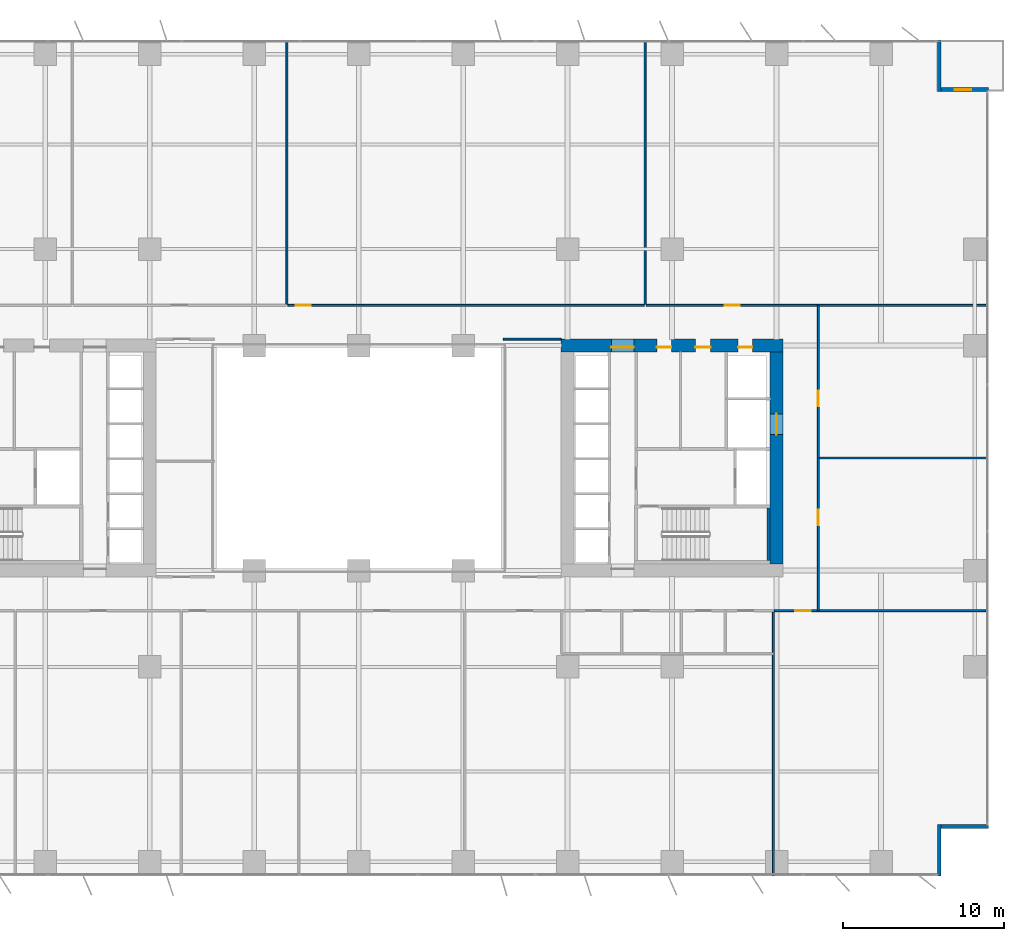
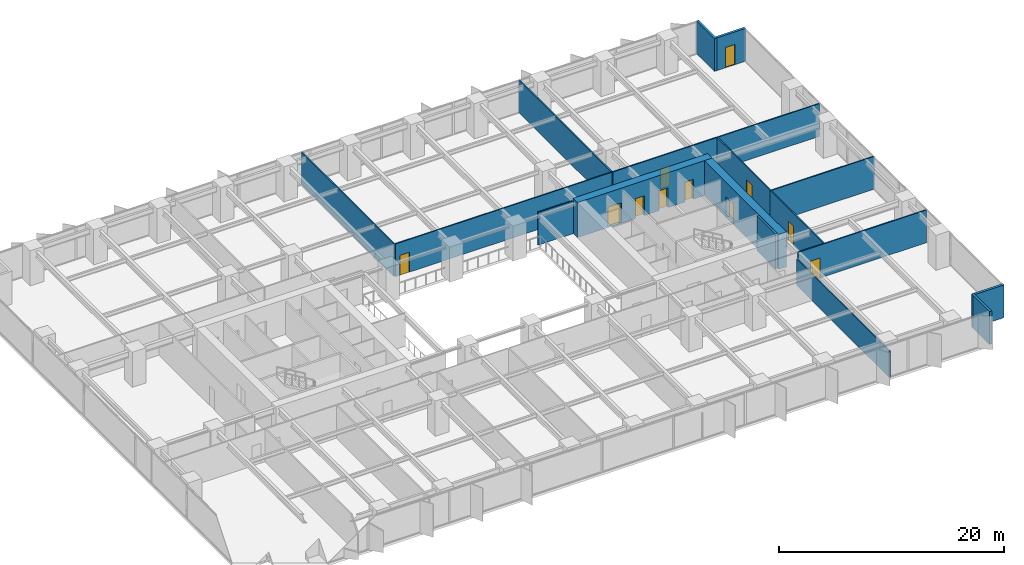
# One storey, part 15 of 20: 17 walls, 11 doors, 11 openings.
"""IFC4 building model written with IfcOpenShell, lengths in metres."""

import ifcopenshell
import ifcopenshell.guid

model = None  # the IFC model being written
_history = None  # IfcOwnerHistory: only IFC2X3 demands one
_inside = {}  # id of a spatial element -> (the spatial element, [elements in it])
_under = {}  # id of a project, library or spatial element -> (it, [spatial elements below it])
_declared = {}  # id of a project -> (the project, [libraries it declares])
_typed = {}  # id of a type object -> (the type object, [elements of that type])
_made_of = {}  # id of a material, layer set ... -> (it, [elements and type objects made of it])


def new_model(schema):
    """Start an empty IFC model of exactly this schema.

    Asked for "IFC4X3", IfcOpenShell would pick the latest addendum, in which some entities
    have other attributes; the version numbers below select the first issue.
    IFC2X3 requires an IfcOwnerHistory on every rooted entity: one is made here for all.
    """
    global model, _history
    if schema == "IFC4X3":
        model = ifcopenshell.file(schema_version=(4, 3, 0, 0))
    else:
        model = ifcopenshell.file(schema=schema)
    _inside.clear()
    _under.clear()
    _declared.clear()
    _typed.clear()
    _made_of.clear()
    _history = None
    if model.schema == "IFC2X3":
        org = make("IfcOrganization", Name="unknown")
        user = make(
            "IfcPersonAndOrganization",
            ThePerson=make("IfcPerson", FamilyName="unknown"),
            TheOrganization=org,
        )
        app = make(
            "IfcApplication",
            ApplicationDeveloper=org,
            Version="unknown",
            ApplicationFullName="unknown",
            ApplicationIdentifier="unknown",
        )
        _history = make(
            "IfcOwnerHistory",
            OwningUser=user,
            OwningApplication=app,
            ChangeAction="ADDED",
            CreationDate=0,
        )
    return model


def make(cls, **values):
    """One entity of the class cls with the attributes given. An attribute that is None is left unset."""
    return model.create_entity(
        cls, **{name: value for name, value in values.items() if value is not None}
    )


def rooted(cls, **values):
    """An entity with a GlobalId (a new one), such as an element, a storey or a relation."""
    return make(cls, GlobalId=ifcopenshell.guid.new(), OwnerHistory=_history, **values)


def si_unit(unit_type, name, prefix=None):
    """IfcSIUnit, for example si_unit("LENGTHUNIT", "METRE", prefix="MILLI")."""
    return make("IfcSIUnit", UnitType=unit_type, Prefix=prefix, Name=name)


def assignment(units):
    """IfcUnitAssignment: the units of a project."""
    return None if units is None else make("IfcUnitAssignment", Units=units)


def point(xyz):
    """IfcCartesianPoint."""
    return None if xyz is None else make("IfcCartesianPoint", Coordinates=xyz)


def direction(xyz):
    """IfcDirection."""
    return None if xyz is None else make("IfcDirection", DirectionRatios=xyz)


def frame(location, z_axis=None, x_axis=None):
    """IfcAxis2Placement3D, a coordinate frame: its origin and axes. An axis left out is left unset."""
    return make(
        "IfcAxis2Placement3D",
        Location=point(location),
        Axis=direction(z_axis),
        RefDirection=direction(x_axis),
    )


def frame_2d(location, x_axis=None):
    """IfcAxis2Placement2D, a coordinate frame in the plane: its origin and x axis."""
    return make(
        "IfcAxis2Placement2D", Location=point(location), RefDirection=direction(x_axis)
    )


def origin():
    """The frame at (0, 0, 0) with its axes left unset."""
    return frame((0.0, 0.0, 0.0))


def place(relative_to, where):
    """IfcLocalPlacement: puts the frame where relative to a parent placement (None: the world)."""
    return make(
        "IfcLocalPlacement", PlacementRelTo=relative_to, RelativePlacement=where
    )


def context(
    kind, dimensions, precision=None, world=None, true_north=None, identifier=None
):
    """IfcGeometricRepresentationContext, for example the 3D "Model" context."""
    return make(
        "IfcGeometricRepresentationContext",
        ContextIdentifier=identifier,
        ContextType=kind,
        CoordinateSpaceDimension=dimensions,
        Precision=precision,
        WorldCoordinateSystem=world,
        TrueNorth=true_north,
    )


def subcontext(parent, identifier, kind, view, scale=None):
    """IfcGeometricRepresentationSubContext, for example "Body" below "Model"."""
    return make(
        "IfcGeometricRepresentationSubContext",
        ContextIdentifier=identifier,
        ContextType=kind,
        ParentContext=parent,
        TargetScale=scale,
        TargetView=view,
    )


def project(units=None, contexts=None):
    """IfcProject with its units and contexts."""
    return rooted(
        "IfcProject",
        Name="project",
        RepresentationContexts=contexts,
        UnitsInContext=assignment(units),
    )


def spatial(cls, under=None, at=None, **own):
    """A site, building, storey or space (cls), placed at a placement, below another one or the project."""
    s = rooted(cls, ObjectPlacement=at, **own)
    if under is not None:
        _under.setdefault(under.id(), (under, []))[1].append(s)
    return s


def profile(cls, at=None, kind="AREA", **sizes):
    """A parametric profile (cls). Its sizes go by their IFC names, for example OverallWidth=200.0."""
    return make(cls, ProfileType=kind, Position=at, **sizes)


def rectangle(**sizes):
    """IfcRectangleProfileDef."""
    return profile("IfcRectangleProfileDef", **sizes)


def extrude(swept, where, along, depth):
    """IfcExtrudedAreaSolid: the profile swept, set in the frame where, extruded along a direction by depth."""
    return make(
        "IfcExtrudedAreaSolid",
        SweptArea=swept,
        Position=where,
        ExtrudedDirection=direction(along),
        Depth=depth,
    )


def shape(context_of_items, identifier, shape_type, items):
    """IfcShapeRepresentation: the items that make up one representation, for example the "Body"."""
    return make(
        "IfcShapeRepresentation",
        ContextOfItems=context_of_items,
        RepresentationIdentifier=identifier,
        RepresentationType=shape_type,
        Items=items,
    )


def material(Name=None, Category=None):
    """IfcMaterial."""
    return make("IfcMaterial", Name=Name, Category=Category)


def layer(
    of_material, thickness, ventilated=None, Name=None, Category=None, Priority=None
):
    """IfcMaterialLayer: one layer of a wall or slab, of a material (None: an air gap)."""
    return make(
        "IfcMaterialLayer",
        Material=of_material,
        LayerThickness=thickness,
        IsVentilated=ventilated,
        Name=Name,
        Category=Category,
        Priority=Priority,
    )


def layer_set(layers, Name=None):
    """IfcMaterialLayerSet."""
    return make("IfcMaterialLayerSet", MaterialLayers=layers, LayerSetName=Name)


def made_of(thing, what):
    """Note that an element or type object is made of a material, layer set ...; save() writes the relation."""
    if what is not None:
        _made_of.setdefault(what.id(), (what, []))[1].append(thing)
    return thing


def type_object(cls, material=None, **own):
    """A type object (cls), such as IfcWallType, which elements share."""
    return made_of(rooted(cls, **own), material)


def element(
    cls,
    number,
    at=None,
    inside=None,
    cuts=None,
    type_object=None,
    material=None,
    context=None,
    identifier="Body",
    shape_type=None,
    held_by="IfcProductDefinitionShape",
    body=None,
    shapes=None,
    **own,
):
    """One element of the class cls, such as IfcWall. Its Tag is "e" and its number.

    at: its placement. inside: the storey or other place that contains it. cuts: it is an
    opening in that element (IfcRelVoidsElement). A single representation is given by context,
    identifier, shape_type and body (its items); several are given by shapes. held_by: the class
    of the entity that holds the representations. save() writes the other relations.
    """
    e = rooted(cls, Tag="e%d" % number, ObjectPlacement=at, **own)
    if body is not None:
        shapes = [shape(context, identifier, shape_type, body)]
    if shapes is not None:
        e.Representation = make(held_by, Representations=shapes)
    if inside is not None:
        _inside.setdefault(inside.id(), (inside, []))[1].append(e)
    if cuts is not None:
        rooted(
            "IfcRelVoidsElement", RelatingBuildingElement=cuts, RelatedOpeningElement=e
        )
    if type_object is not None:
        _typed.setdefault(type_object.id(), (type_object, []))[1].append(e)
    return made_of(e, material)


def fill(opening, filler):
    """IfcRelFillsElement: the door or window that sits in an opening."""
    return rooted(
        "IfcRelFillsElement",
        RelatingOpeningElement=opening,
        RelatedBuildingElement=filler,
    )


def aggregate(whole, parts):
    """IfcRelAggregates: a whole, such as a stair, and the parts it consists of."""
    return rooted("IfcRelAggregates", RelatingObject=whole, RelatedObjects=parts)


def save(model, path):
    """Write the relations noted so far, then the file.

    IfcRelAggregates (storeys below a building ...), IfcRelContainedInSpatialStructure (elements
    in a storey), IfcRelDefinesByType, IfcRelAssociatesMaterial and IfcRelDeclares: one each for
    every whole, place, type object, material and project.
    """
    for whole, parts in _under.values():
        aggregate(whole, parts)
    for where, things in _inside.values():
        rooted(
            "IfcRelContainedInSpatialStructure",
            RelatedElements=things,
            RelatingStructure=where,
        )
    for kind, things in _typed.values():
        rooted("IfcRelDefinesByType", RelatedObjects=things, RelatingType=kind)
    for what, things in _made_of.values():
        rooted("IfcRelAssociatesMaterial", RelatedObjects=things, RelatingMaterial=what)
    for by, libraries in _declared.values():
        rooted("IfcRelDeclares", RelatingContext=by, RelatedDefinitions=libraries)
    model.write(path)


model = new_model("IFC4")

# Units and contexts
model_context = context("Model", 3, precision=1e-05, world=origin(), true_north=direction((0.0, 1.0)))
body_context = subcontext(model_context, "Body", "Model", "MODEL_VIEW")
ifc_project = project(units=[si_unit("LENGTHUNIT", "METRE"), si_unit("AREAUNIT", "SQUARE_METRE"), si_unit("VOLUMEUNIT", "CUBIC_METRE"), si_unit("PLANEANGLEUNIT", "RADIAN"), si_unit("MASSUNIT", "GRAM", prefix="KILO")], contexts=[model_context])

# Site, building, storey
site_placement = place(None, origin())
site = spatial("IfcSite", under=ifc_project, at=site_placement, CompositionType="ELEMENT")
building_placement = place(site_placement, origin())
building = spatial("IfcBuilding", under=site, at=building_placement, Name="Putna Gate Headquarters", CompositionType="ELEMENT")
storey_placement = place(building_placement, frame((0.0, 0.0, 62.0)))
storey = spatial("IfcBuildingStorey", under=building, at=storey_placement, Name="L14", CompositionType="ELEMENT", Elevation=62.0)

# Wall, openings, doors
ifc_material_1 = material(Name="Concrete C60/75", Category="concrete")
ifc_layer_1 = layer(ifc_material_1, 0.800048828125)
ifc_layer_set_1 = layer_set([ifc_layer_1], Name="Concrete C60/75")
wall_type_1 = type_object("IfcWallType", Name="WALL-CORE-800", PredefinedType="SHEAR", material=ifc_layer_set_1)
wall_1_placement = place(storey_placement, frame((51.60009765625, 33.0, 0.0), z_axis=(0.0, 0.0, 1.0), x_axis=(1.0, 0.0, 0.0)))
wall_1 = element("IfcWall", 1, at=wall_1_placement, inside=storey, type_object=wall_type_1, Name="L14 EC Split Core Shear Wall N", PredefinedType="SHEAR", context=body_context, shape_type="SweptSolid", body=[
    extrude(rectangle(XDim=13.7998046875, YDim=0.800048828125, at=frame_2d((6.89990234375, 0.0))), origin(), (0.0, 0.0, 1.0), 3.800048828125),
])
opening_1_placement = place(wall_1_placement, frame((3.1201171875, 0.0, 0.0)))
opening_1 = element("IfcOpeningElement", 2, at=opening_1_placement, cuts=wall_1, Name="Opening FDD-140", PredefinedType="OPENING", context=body_context, shape_type="SweptSolid", body=[
    extrude(rectangle(XDim=1.39990234375, YDim=2.199951171875, at=frame_2d((0.699951171875, 1.10009765625))), frame((0.0, 0.409912109375, 0.0), z_axis=(0.0, -1.0, 0.0), x_axis=(1.0, 0.0, 0.0)), (0.0, 0.0, 1.0), 0.820068359375),
])
opening_2_placement = place(wall_1_placement, frame((11.0, 0.0, 0.0)))
opening_2 = element("IfcOpeningElement", 3, at=opening_2_placement, cuts=wall_1, Name="Opening RD-90", PredefinedType="OPENING", context=body_context, shape_type="SweptSolid", body=[
    extrude(rectangle(XDim=0.89990234375, YDim=2.14990234375, at=frame_2d((0.449951171875, 1.074951171875))), frame((0.0, 0.409912109375, 0.0), z_axis=(0.0, -1.0, 0.0), x_axis=(1.0, 0.0, 0.0)), (0.0, 0.0, 1.0), 0.820068359375),
])
opening_3_placement = place(wall_1_placement, frame((5.949951171875, 0.0, 0.0)))
opening_3 = element("IfcOpeningElement", 4, at=opening_3_placement, cuts=wall_1, Name="Opening IDS-90", PredefinedType="OPENING", context=body_context, shape_type="SweptSolid", body=[
    extrude(rectangle(XDim=0.89990234375, YDim=2.14990234375, at=frame_2d((0.449951171875, 1.074951171875))), frame((0.0, 0.409912109375, 0.0), z_axis=(0.0, -1.0, 0.0), x_axis=(1.0, 0.0, 0.0)), (0.0, 0.0, 1.0), 0.820068359375),
])
opening_4_placement = place(wall_1_placement, frame((8.35009765625, 0.0, 0.0)))
opening_4 = element("IfcOpeningElement", 5, at=opening_4_placement, cuts=wall_1, Name="Opening IDS-95", PredefinedType="OPENING", context=body_context, shape_type="SweptSolid", body=[
    extrude(rectangle(XDim=0.949951171875, YDim=2.14990234375, at=frame_2d((0.47509765625, 1.074951171875))), frame((0.0, 0.409912109375, 0.0), z_axis=(0.0, -1.0, 0.0), x_axis=(1.0, 0.0, 0.0)), (0.0, 0.0, 1.0), 0.820068359375),
])
ifc_material_2 = material(Name="Double steel fire door", Category="steel")
door_type_1 = type_object("IfcDoorType", Name="DOOR-FIRE-DBL-1400", OperationType="DOUBLE_DOOR_SINGLE_SWING", PredefinedType="DOOR", material=ifc_material_2)
door_1_placement = place(opening_1_placement, origin())
door_1 = element("IfcDoor", 6, at=door_1_placement, inside=storey, type_object=door_type_1, Name="L14 East Lift Lobby North Door", OperationType="DOUBLE_DOOR_SINGLE_SWING", OverallHeight=2.199951171875, OverallWidth=1.39990234375, PredefinedType="DOOR", context=body_context, shape_type="SweptSolid", body=[
    extrude(rectangle(XDim=1.39990234375, YDim=2.199951171875, at=frame_2d((0.699951171875, 1.10009765625))), frame((0.0, -0.0751953125, 0.0), z_axis=(0.0, -1.0, 0.0), x_axis=(1.0, 0.0, 0.0)), (0.0, 0.0, 1.0), 0.050048828125),
])
fill(opening_1, door_1)
ifc_material_3 = material(Name="Fire-rated utility door")
door_type_2 = type_object("IfcDoorType", Name="DOOR-INT-900", OperationType="NOTDEFINED", PredefinedType="DOOR", material=ifc_material_3)
door_2_placement = place(opening_3_placement, origin())
door_2 = element("IfcDoor", 7, at=door_2_placement, inside=storey, type_object=door_type_2, Name="L14 Telecoms Plant Door", OperationType="SINGLE_SWING_LEFT", OverallHeight=2.14990234375, OverallWidth=0.89990234375, PredefinedType="DOOR", context=body_context, shape_type="SweptSolid", body=[
    extrude(rectangle(XDim=0.89990234375, YDim=2.14990234375, at=frame_2d((0.449951171875, 1.074951171875))), frame((0.0, -0.0751953125, 0.0), z_axis=(0.0, -1.0, 0.0), x_axis=(1.0, 0.0, 0.0)), (0.0, 0.0, 1.0), 0.050048828125),
])
fill(opening_3, door_2)
ifc_material_4 = material(Name="Fire-rated service timber door", Category="wood")
door_type_3 = type_object("IfcDoorType", Name="DOOR-INT-950", OperationType="NOTDEFINED", PredefinedType="DOOR", material=ifc_material_4)
door_3_placement = place(opening_4_placement, origin())
door_3 = element("IfcDoor", 8, at=door_3_placement, inside=storey, type_object=door_type_3, Name="L14 Supplies Store Door", OperationType="SINGLE_SWING_RIGHT", OverallHeight=2.14990234375, OverallWidth=0.949951171875, PredefinedType="DOOR", context=body_context, shape_type="SweptSolid", body=[
    extrude(rectangle(XDim=0.949951171875, YDim=2.14990234375, at=frame_2d((0.47509765625, 1.074951171875))), frame((0.0, -0.0751953125, 0.0), z_axis=(0.0, -1.0, 0.0), x_axis=(1.0, 0.0, 0.0)), (0.0, 0.0, 1.0), 0.050048828125),
])
fill(opening_4, door_3)
ifc_material_5 = material(Name="Steel riser access fire door", Category="steel")
door_type_4 = type_object("IfcDoorType", Name="DOOR-RISER-900", OperationType="NOTDEFINED", PredefinedType="DOOR", material=ifc_material_5)
door_4_placement = place(opening_2_placement, origin())
door_4 = element("IfcDoor", 9, at=door_4_placement, inside=storey, type_object=door_type_4, Name="L14 East Riser Access Door", OperationType="SINGLE_SWING_LEFT", OverallHeight=2.14990234375, OverallWidth=0.89990234375, PredefinedType="DOOR", context=body_context, shape_type="SweptSolid", body=[
    extrude(rectangle(XDim=0.89990234375, YDim=2.14990234375, at=frame_2d((0.449951171875, 1.074951171875))), frame((0.0, -0.0751953125, 0.0), z_axis=(0.0, -1.0, 0.0), x_axis=(1.0, 0.0, 0.0)), (0.0, 0.0, 1.0), 0.050048828125),
])
fill(opening_2, door_4)

# Wall, opening, door
wall_2_placement = place(storey_placement, frame((65.0, 19.39990234375, 0.0), z_axis=(0.0, 0.0, 1.0), x_axis=(0.0, 1.0, 0.0)))
wall_2 = element("IfcWall", 10, at=wall_2_placement, inside=storey, type_object=wall_type_1, Name="L14 EC Split Core Shear Wall E", PredefinedType="SHEAR", context=body_context, shape_type="SweptSolid", body=[
    extrude(rectangle(XDim=13.2001953125, YDim=0.800048828125, at=frame_2d((6.60009765625, 0.0))), origin(), (0.0, 0.0, 1.0), 3.800048828125),
])
opening_5_placement = place(wall_2_placement, frame((8.050048828125, 0.0, 0.0)))
opening_5 = element("IfcOpeningElement", 11, at=opening_5_placement, cuts=wall_2, Name="Opening LD-2", PredefinedType="OPENING", context=body_context, shape_type="SweptSolid", body=[
    extrude(rectangle(XDim=1.300048828125, YDim=2.199951171875, at=frame_2d((0.64990234375, 1.10009765625))), frame((0.0, 0.409912109375, 0.0), z_axis=(0.0, -1.0, 0.0), x_axis=(1.0, 0.0, 0.0)), (0.0, 0.0, 1.0), 0.820068359375),
])
ifc_material_6 = material(Name="Heavy-duty goods lift sliding landing door")
door_type_5 = type_object("IfcDoorType", Name="DOOR-LIFT-1300", OperationType="DOUBLE_DOOR_SLIDING", PredefinedType="DOOR", material=ifc_material_6)
door_5_placement = place(opening_5_placement, origin())
door_5 = element("IfcDoor", 12, at=door_5_placement, inside=storey, type_object=door_type_5, Name="L14 Goods Lift Landing Door LD-15", OperationType="DOUBLE_DOOR_SLIDING", OverallHeight=2.199951171875, OverallWidth=1.300048828125, PredefinedType="DOOR", context=body_context, shape_type="SweptSolid", body=[
    extrude(rectangle(XDim=1.300048828125, YDim=2.199951171875, at=frame_2d((0.64990234375, 1.10009765625))), frame((0.0, 0.02490234375, 0.0), z_axis=(0.0, -1.0, 0.0), x_axis=(1.0, 0.0, 0.0)), (0.0, 0.0, 1.0), 0.050048828125),
])
fill(opening_5, door_5)

# Wall
ifc_material_7 = material(Name="Precast concrete C40/50", Category="concrete")
ifc_layer_2 = layer(ifc_material_7, 0.239990234375)
ifc_layer_set_2 = layer_set([ifc_layer_2], Name="Precast concrete C40/50")
wall_type_2 = type_object("IfcWallType", Name="WALL-EXT-TERR-240", PredefinedType="STANDARD", material=ifc_layer_set_2)
wall_3_placement = place(storey_placement, frame((75.1201171875, 52.0, 0.0), z_axis=(0.0, 0.0, 1.0), x_axis=(0.0, -1.0, 0.0)))
element("IfcWall", 13, at=wall_3_placement, inside=storey, type_object=wall_type_2, Name="L14 Corner Notch Return Wall NE-V", PredefinedType="STANDARD", context=body_context, shape_type="SweptSolid", body=[
    extrude(rectangle(XDim=3.199951171875, YDim=0.239990234375, at=frame_2d((1.60009765625, 0.0))), origin(), (0.0, 0.0, 1.0), 3.550048828125),
])

# Wall, opening, door
wall_4_placement = place(storey_placement, frame((75.0, 48.919921875, 0.0), z_axis=(0.0, 0.0, 1.0), x_axis=(1.0, 0.0, 0.0)))
wall_4 = element("IfcWall", 14, at=wall_4_placement, inside=storey, type_object=wall_type_2, Name="L14 Corner Notch Return Wall NE-H", PredefinedType="STANDARD", context=body_context, shape_type="SweptSolid", body=[
    extrude(rectangle(XDim=3.199951171875, YDim=0.239990234375, at=frame_2d((1.60009765625, 0.0))), origin(), (0.0, 0.0, 1.0), 3.550048828125),
])
opening_6_placement = place(wall_4_placement, frame((1.10009765625, 0.0, 0.0)))
opening_6 = element("IfcOpeningElement", 15, at=opening_6_placement, cuts=wall_4, Name="Opening TRD-1", PredefinedType="OPENING", context=body_context, shape_type="SweptSolid", body=[
    extrude(rectangle(XDim=1.0, YDim=2.199951171875, at=frame_2d((0.5, 1.10009765625))), frame((0.0, 0.1298828125, 0.0), z_axis=(0.0, -1.0, 0.0), x_axis=(1.0, 0.0, 0.0)), (0.0, 0.0, 1.0), 0.260009765625),
])
ifc_material_8 = material(Name="Thermally broken bronze glazed terrace door")
door_type_6 = type_object("IfcDoorType", Name="DOOR-TERR-EXT-1000", OperationType="NOTDEFINED", PredefinedType="DOOR", material=ifc_material_8)
door_6_placement = place(opening_6_placement, origin())
door_6 = element("IfcDoor", 16, at=door_6_placement, inside=storey, type_object=door_type_6, Name="L14 Spiral Sky Terrace Door NE", OperationType="SINGLE_SWING_LEFT", OverallHeight=2.199951171875, OverallWidth=1.0, PredefinedType="DOOR", context=body_context, shape_type="SweptSolid", body=[
    extrude(rectangle(XDim=1.0, YDim=2.199951171875, at=frame_2d((0.5, 1.10009765625))), frame((0.0, 0.02490234375, 0.0), z_axis=(0.0, -1.0, 0.0), x_axis=(1.0, 0.0, 0.0)), (0.0, 0.0, 1.0), 0.050048828125),
])
fill(opening_6, door_6)

# Walls
for number, where, z_axis, x_axis, name in (
    (17, (75.1201171875, 3.199951171875, 0.0), (0.0, 0.0, 1.0), (0.0, -1.0, 0.0), "L14 Corner Notch Return Wall SE-V"),
    (18, (78.199951171875, 3.080078125, 0.0), (0.0, 0.0, 1.0), (-1.0, 0.0, 0.0), "L14 Corner Notch Return Wall SE-H"),
):
    element("IfcWall", number, at=place(storey_placement, frame(where, z_axis=z_axis, x_axis=x_axis)), inside=storey, type_object=wall_type_2, Name=name, PredefinedType="STANDARD", context=body_context, shape_type="SweptSolid", body=[
        extrude(rectangle(XDim=3.199951171875, YDim=0.239990234375, at=frame_2d((1.60009765625, 0.0))), origin(), (0.0, 0.0, 1.0), 3.550048828125),
    ])
ifc_material_9 = material(Name="Acoustic gypsum board on metal stud")
ifc_layer_3 = layer(ifc_material_9, 0.1201171875)
ifc_layer_set_3 = layer_set([ifc_layer_3], Name="Acoustic gypsum board on metal stud")
wall_type_3 = type_object("IfcWallType", Name="WALL-PART-120", PredefinedType="PARTITIONING", material=ifc_layer_set_3)
wall_5_placement = place(storey_placement, frame((48.0, 33.39990234375, 0.0), z_axis=(0.0, 0.0, 1.0), x_axis=(1.0, 0.0, 0.0)))
element("IfcWall", 19, at=wall_5_placement, inside=storey, type_object=wall_type_3, Name="L14 Interior Wall PART-L14-ATR-E-N", PredefinedType="PARTITIONING", context=body_context, shape_type="SweptSolid", body=[
    extrude(rectangle(XDim=3.60009765625, YDim=0.1201171875, at=frame_2d((1.800048828125, 0.0))), origin(), (0.0, 0.0, 1.0), 3.550048828125),
])
for number, where, z_axis, x_axis, name in (
    (20, (34.5283203125, 35.56005859375, 0.0), (0.0, 0.0, 1.0), (0.0, 1.0, 0.0), "L14 Interior Wall PART-L14-NB-DIV-02"),
    (21, (56.82421875, 35.56005859375, 0.0), (0.0, 0.0, 1.0), (0.0, 1.0, 0.0), "L14 Interior Wall PART-L14-NB-DIV-03"),
):
    element("IfcWall", number, at=place(storey_placement, frame(where, z_axis=z_axis, x_axis=x_axis)), inside=storey, type_object=wall_type_3, Name=name, PredefinedType="PARTITIONING", context=body_context, shape_type="SweptSolid", body=[
        extrude(rectangle(XDim=16.419921875, YDim=0.1201171875, at=frame_2d((8.2099609375, 0.0))), origin(), (0.0, 0.0, 1.0), 3.550048828125),
    ])
wall_6_placement = place(storey_placement, frame((64.800048828125, 0.02001953125, 0.0), z_axis=(0.0, 0.0, 1.0), x_axis=(0.0, 1.0, 0.0)))
element("IfcWall", 22, at=wall_6_placement, inside=storey, type_object=wall_type_3, Name="L14 Interior Wall PART-L14-SB-DIV-06", PredefinedType="PARTITIONING", context=body_context, shape_type="SweptSolid", body=[
    extrude(rectangle(XDim=16.419921875, YDim=0.1201171875, at=frame_2d((8.2099609375, 0.0))), origin(), (0.0, 0.0, 1.0), 2.89990234375),
])
wall_7_placement = place(storey_placement, frame((67.60009765625, 26.0, 0.0), z_axis=(0.0, 0.0, 1.0), x_axis=(1.0, 0.0, 0.0)))
element("IfcWall", 23, at=wall_7_placement, inside=storey, type_object=wall_type_3, Name="L14 Interior Wall PART-L14-EW-DIV-1", PredefinedType="PARTITIONING", context=body_context, shape_type="SweptSolid", body=[
    extrude(rectangle(XDim=10.579833984375, YDim=0.1201171875, at=frame_2d((5.2900390625, 0.0))), origin(), (0.0, 0.0, 1.0), 3.550048828125),
])

# Wall, opening, door
ifc_material_10 = material(Name="Fire-rated gypsum board on metal stud")
ifc_layer_4 = layer(ifc_material_10, 0.1201171875)
ifc_layer_set_4 = layer_set([ifc_layer_4], Name="Fire-rated gypsum board on metal stud")
wall_type_4 = type_object("IfcWallType", Name="WALL-PART-120-RATED", PredefinedType="PARTITIONING", material=ifc_layer_set_4)
wall_8_placement = place(storey_placement, frame((34.58837890625, 35.5, 0.0), z_axis=(0.0, 0.0, 1.0), x_axis=(1.0, 0.0, 0.0)))
wall_8 = element("IfcWall", 24, at=wall_8_placement, inside=storey, type_object=wall_type_4, Name="L14 Interior Wall PART-L14-NB-CW-03", PredefinedType="PARTITIONING", context=body_context, shape_type="SweptSolid", body=[
    extrude(rectangle(XDim=22.176025390625, YDim=0.1201171875, at=frame_2d((11.087890625, 0.0))), origin(), (0.0, 0.0, 1.0), 3.550048828125),
])
opening_7_placement = place(wall_8_placement, frame((0.47998046875, 0.0, 0.0)))
opening_7 = element("IfcOpeningElement", 25, at=opening_7_placement, cuts=wall_8, Name="Opening FD-95", PredefinedType="OPENING", context=body_context, shape_type="SweptSolid", body=[
    extrude(rectangle(XDim=0.949951171875, YDim=2.14990234375, at=frame_2d((0.47509765625, 1.074951171875))), frame((0.0, 0.070068359375, 0.0), z_axis=(0.0, -1.0, 0.0), x_axis=(1.0, 0.0, 0.0)), (0.0, 0.0, 1.0), 0.14013671875),
])
ifc_material_11 = material(Name="Acoustic timber fire door", Category="wood")
door_type_7 = type_object("IfcDoorType", Name="DOOR-FIRE-950", OperationType="NOTDEFINED", PredefinedType="DOOR", material=ifc_material_11)
door_7_placement = place(opening_7_placement, origin())
door_7 = element("IfcDoor", 26, at=door_7_placement, inside=storey, type_object=door_type_7, Name="L14 Conference Meeting Room 3 Door", OperationType="SINGLE_SWING_RIGHT", OverallHeight=2.14990234375, OverallWidth=0.949951171875, PredefinedType="DOOR", context=body_context, shape_type="SweptSolid", body=[
    extrude(rectangle(XDim=0.949951171875, YDim=2.14990234375, at=frame_2d((0.47509765625, 1.074951171875))), frame((0.0, 0.02490234375, 0.0), z_axis=(0.0, -1.0, 0.0), x_axis=(1.0, 0.0, 0.0)), (0.0, 0.0, 1.0), 0.050048828125),
])
fill(opening_7, door_7)

wall_9_placement = place(storey_placement, frame((56.88427734375, 35.5, 0.0), z_axis=(0.0, 0.0, 1.0), x_axis=(1.0, 0.0, 0.0)))
wall_9 = element("IfcWall", 27, at=wall_9_placement, inside=storey, type_object=wall_type_4, Name="L14 Interior Wall PART-L14-NB-CW-04", PredefinedType="PARTITIONING", context=body_context, shape_type="SweptSolid", body=[
    extrude(rectangle(XDim=21.1357421875, YDim=0.1201171875, at=frame_2d((10.56787109375, 0.0))), origin(), (0.0, 0.0, 1.0), 3.550048828125),
])
opening_8_placement = place(wall_9_placement, frame((4.8828125, 0.0, 0.0)))
opening_8 = element("IfcOpeningElement", 28, at=opening_8_placement, cuts=wall_9, Name="Opening FD-95", PredefinedType="OPENING", context=body_context, shape_type="SweptSolid", body=[
    extrude(rectangle(XDim=0.949951171875, YDim=2.14990234375, at=frame_2d((0.47509765625, 1.074951171875))), frame((0.0, 0.070068359375, 0.0), z_axis=(0.0, -1.0, 0.0), x_axis=(1.0, 0.0, 0.0)), (0.0, 0.0, 1.0), 0.14013671875),
])
door_8_placement = place(opening_8_placement, origin())
door_8 = element("IfcDoor", 29, at=door_8_placement, inside=storey, type_object=door_type_7, Name="L14 Cellular Office 1 Door", OperationType="SINGLE_SWING_LEFT", OverallHeight=2.14990234375, OverallWidth=0.949951171875, PredefinedType="DOOR", context=body_context, shape_type="SweptSolid", body=[
    extrude(rectangle(XDim=0.949951171875, YDim=2.14990234375, at=frame_2d((0.47509765625, 1.074951171875))), frame((0.0, 0.02490234375, 0.0), z_axis=(0.0, -1.0, 0.0), x_axis=(1.0, 0.0, 0.0)), (0.0, 0.0, 1.0), 0.050048828125),
])
fill(opening_8, door_8)

wall_10_placement = place(storey_placement, frame((64.860107421875, 16.5, 0.0), z_axis=(0.0, 0.0, 1.0), x_axis=(1.0, 0.0, 0.0)))
wall_10 = element("IfcWall", 30, at=wall_10_placement, inside=storey, type_object=wall_type_4, Name="L14 Interior Wall PART-L14-SB-CW-07", PredefinedType="PARTITIONING", context=body_context, shape_type="SweptSolid", body=[
    extrude(rectangle(XDim=13.159912109375, YDim=0.1201171875, at=frame_2d((6.580078125, 0.0))), origin(), (0.0, 0.0, 1.0), 3.550048828125),
])
opening_9_placement = place(wall_10_placement, frame((1.31005859375, 0.0, 0.0)))
opening_9 = element("IfcOpeningElement", 31, at=opening_9_placement, cuts=wall_10, Name="Opening FD-95", PredefinedType="OPENING", context=body_context, shape_type="SweptSolid", body=[
    extrude(rectangle(XDim=0.949951171875, YDim=2.14990234375, at=frame_2d((0.47509765625, 1.074951171875))), frame((0.0, 0.070068359375, 0.0), z_axis=(0.0, -1.0, 0.0), x_axis=(1.0, 0.0, 0.0)), (0.0, 0.0, 1.0), 0.14013671875),
])
door_9_placement = place(opening_9_placement, origin())
door_9 = element("IfcDoor", 32, at=door_9_placement, inside=storey, type_object=door_type_7, Name="L14 Conference Meeting Room 1 Door", OperationType="SINGLE_SWING_RIGHT", OverallHeight=2.14990234375, OverallWidth=0.949951171875, PredefinedType="DOOR", context=body_context, shape_type="SweptSolid", body=[
    extrude(rectangle(XDim=0.949951171875, YDim=2.14990234375, at=frame_2d((0.47509765625, 1.074951171875))), frame((0.0, 0.02490234375, 0.0), z_axis=(0.0, -1.0, 0.0), x_axis=(1.0, 0.0, 0.0)), (0.0, 0.0, 1.0), 0.050048828125),
])
fill(opening_9, door_9)

wall_11_placement = place(storey_placement, frame((67.60009765625, 16.5, 0.0), z_axis=(0.0, 0.0, 1.0), x_axis=(0.0, 1.0, 0.0)))
wall_11 = element("IfcWall", 33, at=wall_11_placement, inside=storey, type_object=wall_type_4, Name="L14 Interior Wall PART-L14-EW-CW-1", PredefinedType="PARTITIONING", context=body_context, shape_type="SweptSolid", body=[
    extrude(rectangle(XDim=9.5, YDim=0.1201171875, at=frame_2d((4.75, 0.0))), origin(), (0.0, 0.0, 1.0), 3.550048828125),
])
opening_10_placement = place(wall_11_placement, frame((5.324951171875, 0.0, 0.0)))
opening_10 = element("IfcOpeningElement", 34, at=opening_10_placement, cuts=wall_11, Name="Opening FD-95", PredefinedType="OPENING", context=body_context, shape_type="SweptSolid", body=[
    extrude(rectangle(XDim=0.949951171875, YDim=2.14990234375, at=frame_2d((0.47509765625, 1.074951171875))), frame((0.0, 0.070068359375, 0.0), z_axis=(0.0, -1.0, 0.0), x_axis=(1.0, 0.0, 0.0)), (0.0, 0.0, 1.0), 0.14013671875),
])
door_10_placement = place(opening_10_placement, origin())
door_10 = element("IfcDoor", 35, at=door_10_placement, inside=storey, type_object=door_type_7, Name="L14 East Horizon Conference Room 1 Door", OperationType="SINGLE_SWING_RIGHT", OverallHeight=2.14990234375, OverallWidth=0.949951171875, PredefinedType="DOOR", context=body_context, shape_type="SweptSolid", body=[
    extrude(rectangle(XDim=0.949951171875, YDim=2.14990234375, at=frame_2d((0.47509765625, 1.074951171875))), frame((0.0, 0.02490234375, 0.0), z_axis=(0.0, -1.0, 0.0), x_axis=(1.0, 0.0, 0.0)), (0.0, 0.0, 1.0), 0.050048828125),
])
fill(opening_10, door_10)

wall_12_placement = place(storey_placement, frame((67.60009765625, 26.0, 0.0), z_axis=(0.0, 0.0, 1.0), x_axis=(0.0, 1.0, 0.0)))
wall_12 = element("IfcWall", 36, at=wall_12_placement, inside=storey, type_object=wall_type_4, Name="L14 Interior Wall PART-L14-EW-CW-2", PredefinedType="PARTITIONING", context=body_context, shape_type="SweptSolid", body=[
    extrude(rectangle(XDim=9.5, YDim=0.1201171875, at=frame_2d((4.75, 0.0))), origin(), (0.0, 0.0, 1.0), 3.550048828125),
])
opening_11_placement = place(wall_12_placement, frame((3.22509765625, 0.0, 0.0)))
opening_11 = element("IfcOpeningElement", 37, at=opening_11_placement, cuts=wall_12, Name="Opening FD-95", PredefinedType="OPENING", context=body_context, shape_type="SweptSolid", body=[
    extrude(rectangle(XDim=0.949951171875, YDim=2.14990234375, at=frame_2d((0.47509765625, 1.074951171875))), frame((0.0, 0.070068359375, 0.0), z_axis=(0.0, -1.0, 0.0), x_axis=(1.0, 0.0, 0.0)), (0.0, 0.0, 1.0), 0.14013671875),
])
door_11_placement = place(opening_11_placement, origin())
door_11 = element("IfcDoor", 38, at=door_11_placement, inside=storey, type_object=door_type_7, Name="L14 East Horizon Conference Room 2 Door", OperationType="SINGLE_SWING_LEFT", OverallHeight=2.14990234375, OverallWidth=0.949951171875, PredefinedType="DOOR", context=body_context, shape_type="SweptSolid", body=[
    extrude(rectangle(XDim=0.949951171875, YDim=2.14990234375, at=frame_2d((0.47509765625, 1.074951171875))), frame((0.0, 0.02490234375, 0.0), z_axis=(0.0, -1.0, 0.0), x_axis=(1.0, 0.0, 0.0)), (0.0, 0.0, 1.0), 0.050048828125),
])
fill(opening_11, door_11)

# Wall
ifc_material_12 = material(Name="Concrete C40/50", Category="concrete")
ifc_layer_5 = layer(ifc_material_12, 0.199951171875)
ifc_layer_set_5 = layer_set([ifc_layer_5], Name="Concrete C40/50")
wall_type_5 = type_object("IfcWallType", Name="WALL-SHAFT-RC200", PredefinedType="SHEAR", material=ifc_layer_set_5)
wall_13_placement = place(storey_placement, frame((64.489990234375, 19.610107421875, 0.0), z_axis=(0.0, 0.0, 1.0), x_axis=(0.0, 1.0, 0.0)))
element("IfcWall", 39, at=wall_13_placement, inside=storey, type_object=wall_type_5, Name="L14 Stair ST2 Structural Shaft Wall E", PredefinedType="SHEAR", context=body_context, shape_type="SweptSolid", body=[
    extrude(rectangle(XDim=3.27978515625, YDim=0.199951171875, at=frame_2d((1.639892578125, 0.0))), origin(), (0.0, 0.0, 1.0), 3.800048828125),
])

save(model, "model.ifc")
